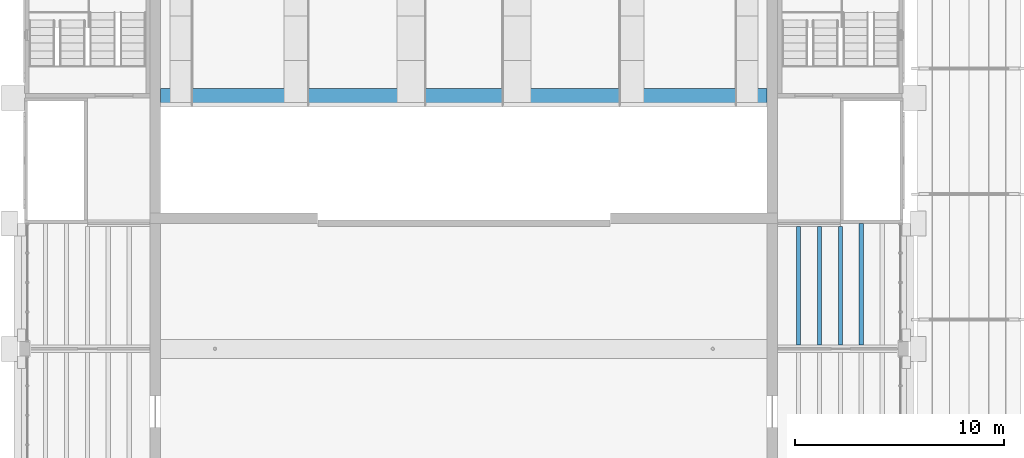
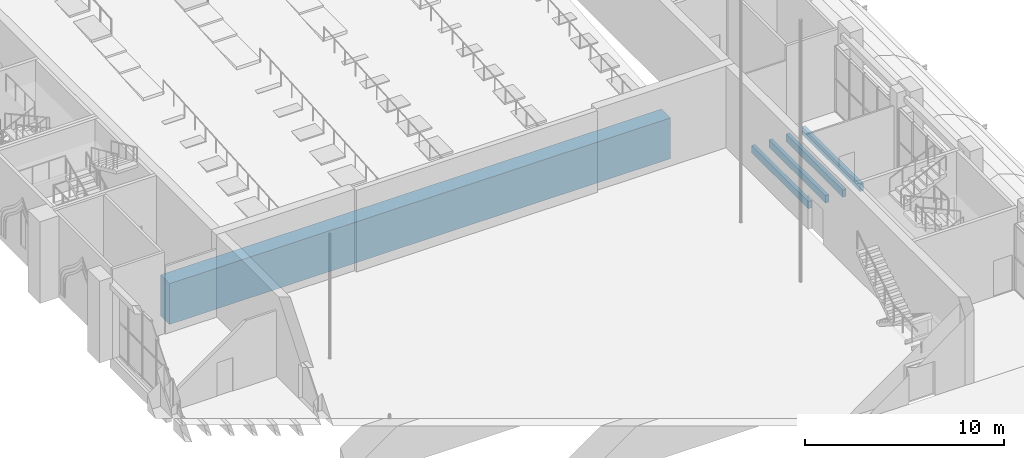
# One storey, part 16 of 80: 5 beams.
"""IFC4 building model written with IfcOpenShell, lengths in metres."""

from ifc_helpers import new_model, si_unit, direction, frame, origin, origin_2d, place, context, subcontext, project, spatial, rectangle, extrude, material, material_profile, profile_set, type_object, element, save


model = new_model("IFC4")

# Units and contexts
model_context = context("Model", 3, precision=1e-05, world=origin(), true_north=direction((0.0, 1.0)))
body_context = subcontext(model_context, "Body", "Model", "MODEL_VIEW")
ifc_project = project(units=[si_unit("LENGTHUNIT", "METRE"), si_unit("AREAUNIT", "SQUARE_METRE"), si_unit("VOLUMEUNIT", "CUBIC_METRE"), si_unit("PLANEANGLEUNIT", "RADIAN"), si_unit("MASSUNIT", "GRAM", prefix="KILO")], contexts=[model_context])

# Site, building, storey
site_placement = place(None, origin())
site = spatial("IfcSite", under=ifc_project, at=site_placement, CompositionType="ELEMENT")
building_placement = place(site_placement, origin())
building = spatial("IfcBuilding", under=site, at=building_placement, Name="Saffron Lane Theatres", CompositionType="ELEMENT")
storey_placement = place(building_placement, frame((0.0, 0.0, 7.0)))
storey = spatial("IfcBuildingStorey", under=building, at=storey_placement, Name="L01", CompositionType="ELEMENT", Elevation=7.0)

# Beams
ifc_material_1 = material(Name="Concrete N50 (50 MPa)", Category="concrete")
ifc_material_profile_1 = material_profile(ifc_material_1, rectangle(XDim=0.89990234375, YDim=2.5, at=origin_2d()))
ifc_profile_set_1 = profile_set([ifc_material_profile_1], Name="Concrete N50 (50 MPa)")
beam_type_1 = type_object("IfcBeamType", Name="RC-BEAM 900x2500", PredefinedType="BEAM", material=ifc_profile_set_1)
beam_1_placement = place(storey_placement, frame((18.5, 60.0, -2.785888671875), z_axis=(1.0, 0.0, 0.0), x_axis=(0.0, 1.0, 0.0)))
element("IfcBeam", 1, at=beam_1_placement, inside=storey, type_object=beam_type_1, Name="beam-L01-stalls-girder-60", PredefinedType="BEAM", context=body_context, shape_type="SweptSolid", body=[
    extrude(rectangle(XDim=0.89990234375, YDim=2.5, at=origin_2d()), origin(), (0.0, 0.0, 1.0), 29.0),
])
ifc_material_2 = material(Name="Concrete N40 (40 MPa)", Category="concrete")
ifc_material_profile_2 = material_profile(ifc_material_2, rectangle(XDim=0.199951171875, YDim=0.449951171875, at=origin_2d()))
ifc_profile_set_2 = profile_set([ifc_material_profile_2], Name="Concrete N40 (40 MPa)")
beam_type_2 = type_object("IfcBeamType", Name="RC-JOIST 200x450", PredefinedType="JOIST", material=ifc_profile_set_2)
for number, where, z_axis, x_axis, name in (
    (2, (49.0, 48.175048828125, -0.47509765625), (0.0, 1.0, 0.0), (-1.0, 0.0, 0.0), "joist-L01-y4900-482"),
    (3, (50.0, 48.175048828125, -0.47509765625), (0.0, 1.0, 0.0), (-1.0, 0.0, 0.0), "joist-L01-y5000-482"),
    (4, (51.0, 48.175048828125, -0.47509765625), (0.0, 1.0, 0.0), (-1.0, 0.0, 0.0), "joist-L01-y5100-482"),
):
    element("IfcBeam", number, at=place(storey_placement, frame(where, z_axis=z_axis, x_axis=x_axis)), inside=storey, type_object=beam_type_2, Name=name, PredefinedType="JOIST", context=body_context, shape_type="SweptSolid", body=[
        extrude(rectangle(XDim=0.199951171875, YDim=0.449951171875, at=origin_2d()), origin(), (0.0, 0.0, 1.0), 5.675048828125),
    ])
beam_2_placement = place(storey_placement, frame((52.0, 48.175048828125, -0.47509765625), z_axis=(0.0, 1.0, 0.0), x_axis=(-1.0, 0.0, 0.0)))
element("IfcBeam", 5, at=beam_2_placement, inside=storey, type_object=beam_type_2, Name="joist-L01-y5200-482", PredefinedType="JOIST", context=body_context, shape_type="SweptSolid", body=[
    extrude(rectangle(XDim=0.199951171875, YDim=0.449951171875, at=origin_2d()), origin(), (0.0, 0.0, 1.0), 5.824951171875),
])

save(model, "model.ifc")
